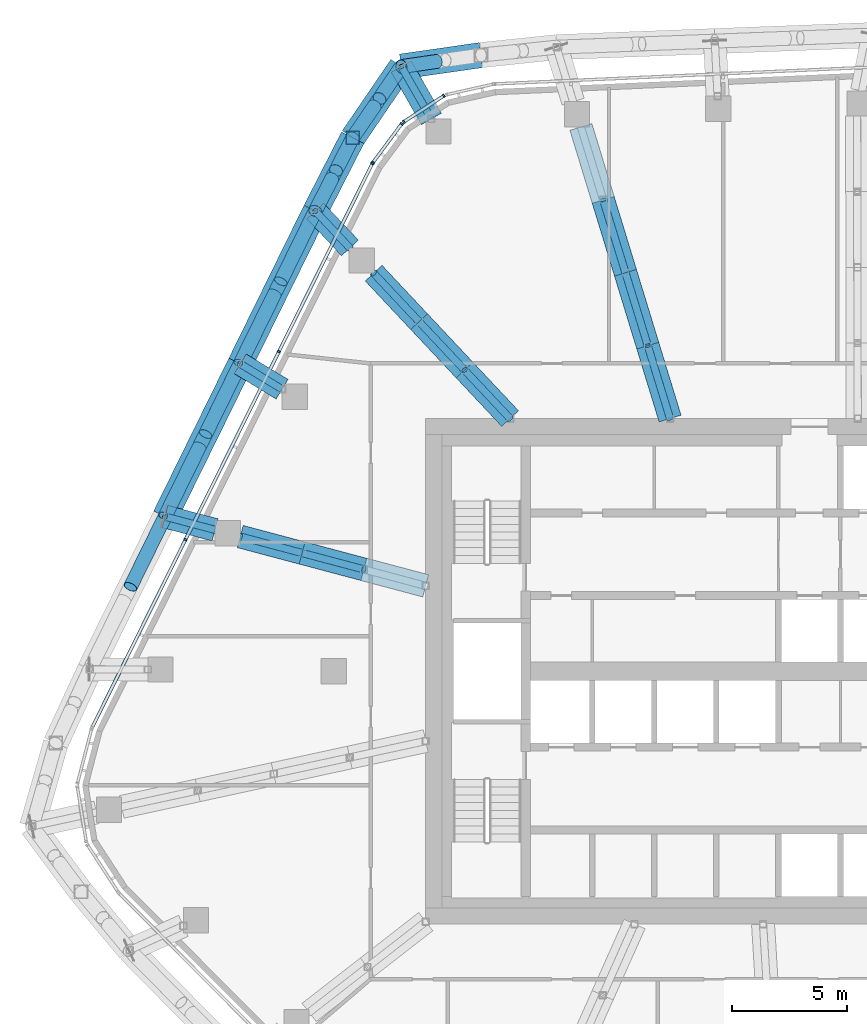
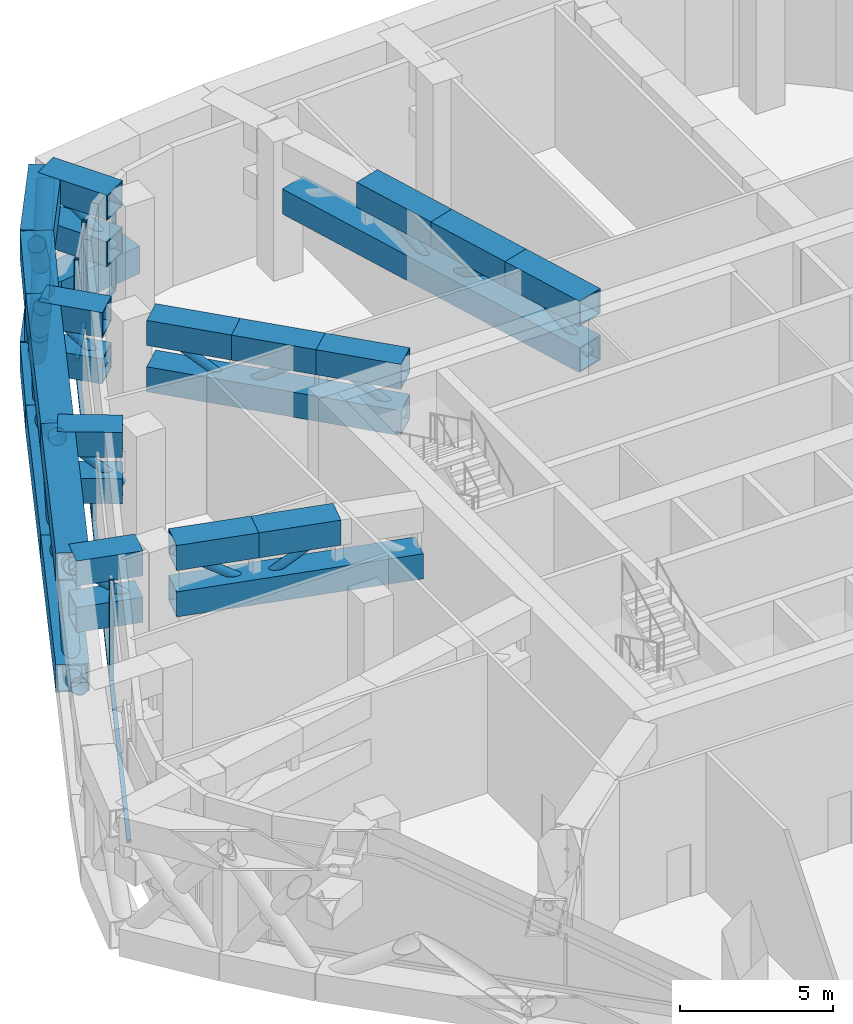
# One storey, part 6 of 31: 65 members, 2 elements without a shape of their own.
"""IFC4 building model written with IfcOpenShell, lengths in metres."""

from ifc_helpers import new_model, si_unit, direction, frame, origin, origin_2d, place, context, subcontext, project, spatial, rectangle, hollow_rectangle, hollow_circle, extrude, material, layer, layer_set, material_profile, profile_set, type_object, element, aggregate, save


model = new_model("IFC4")

# Units and contexts
model_context = context("Model", 3, precision=1e-05, world=origin(), true_north=direction((0.0, 1.0)))
body_context = subcontext(model_context, "Body", "Model", "MODEL_VIEW")
ifc_project = project(units=[si_unit("LENGTHUNIT", "METRE"), si_unit("AREAUNIT", "SQUARE_METRE"), si_unit("VOLUMEUNIT", "CUBIC_METRE"), si_unit("PLANEANGLEUNIT", "RADIAN"), si_unit("MASSUNIT", "GRAM", prefix="KILO")], contexts=[model_context])

# Site, building, storey
site_placement = place(None, origin())
site = spatial("IfcSite", under=ifc_project, at=site_placement, CompositionType="ELEMENT")
building_placement = place(site_placement, origin())
building = spatial("IfcBuilding", under=site, at=building_placement, Name="Dongbaek Canopy Tower", CompositionType="ELEMENT")
storey_placement = place(building_placement, frame((0.0, 0.0, 283.199951171875)))
storey = spatial("IfcBuildingStorey", under=building, at=storey_placement, Name="L60", CompositionType="ELEMENT", Elevation=283.199951171875)

# Members
ifc_material_1 = material(Name="Steel S355", Category="steel")
ifc_material_profile_1 = material_profile(ifc_material_1, hollow_circle(Radius=0.304931640625, WallThickness=0.01611328125, at=origin_2d()), Name="BELT BRACE CHS 610.0x16.0 Steel S355")
ifc_profile_set_1 = profile_set([ifc_material_profile_1], Name="Steel S355")
member_type_1 = type_object("IfcMemberType", Name="BELT BRACE CHS 610.0x16.0 Steel S355", PredefinedType="BRACE", material=ifc_profile_set_1)
member_1_placement = place(storey_placement, frame((-25.346923828125, 6.7353515625, 0.550048828125), z_axis=(-0.378311412718, -0.769331436671, 0.51479084642), x_axis=(0.897372280824, -0.441274279342, 0.0)))
element("IfcMember", 1, at=member_1_placement, inside=storey, type_object=member_type_1, Name="BELT:L60:9:D0:1", PredefinedType="BRACE", context=body_context, shape_type="SweptSolid", body=[
    extrude(hollow_circle(Radius=0.304931640625, WallThickness=0.01611328125, at=origin_2d()), origin(), (0.0, 0.0, 1.0), 3.9765625),
])
member_2_placement = place(storey_placement, frame((-25.346923828125, 6.7353515625, 0.550048828125), z_axis=(0.378435216266, 0.769242027153, 0.514833459239), x_axis=(-0.897294773133, 0.441431863495, 0.0)))
element("IfcMember", 2, at=member_2_placement, inside=storey, type_object=member_type_1, Name="BELT:L60:10:D0:0", PredefinedType="BRACE", context=body_context, shape_type="SweptSolid", body=[
    extrude(hollow_circle(Radius=0.304931640625, WallThickness=0.01611328125, at=origin_2d()), origin(), (0.0, 0.0, 1.0), 8.6435546875),
])
member_3_placement = place(storey_placement, frame((-22.075927734375, 13.38427734375, 0.550048828125), z_axis=(-0.378417634183, -0.769238377584, 0.514851835572), x_axis=(0.897302067021, -0.441417036961, 0.0)))
element("IfcMember", 3, at=member_3_placement, inside=storey, type_object=member_type_1, Name="BELT:L60:10:D0:1", PredefinedType="BRACE", context=body_context, shape_type="SweptSolid", body=[
    extrude(hollow_circle(Radius=0.304931640625, WallThickness=0.01611328125, at=origin_2d()), origin(), (0.0, 0.0, 1.0), 3.97607421875),
])
member_4_placement = place(storey_placement, frame((-25.346923828125, 6.7353515625, 5.0), z_axis=(0.378470241187, 0.769220503178, -0.514839872218), x_axis=(-0.897273697022, 0.441474702143, 0.0)))
element("IfcMember", 4, at=member_4_placement, inside=storey, type_object=member_type_1, Name="BELT:L60:10:D0:2", PredefinedType="BRACE", context=body_context, shape_type="SweptSolid", body=[
    extrude(hollow_circle(Radius=0.304931640625, WallThickness=0.01611328125, at=origin_2d()), origin(), (0.0, 0.0, 1.0), 3.976318359375),
])
member_5_placement = place(storey_placement, frame((-22.075927734375, 13.38427734375, 0.550048828125), z_axis=(0.378355310952, 0.76922547315, 0.514916915756), x_axis=(-0.897327928533, 0.441364462406, 0.0)))
element("IfcMember", 5, at=member_5_placement, inside=storey, type_object=member_type_1, Name="BELT:L60:11:D0:0", PredefinedType="BRACE", context=body_context, shape_type="SweptSolid", body=[
    extrude(hollow_circle(Radius=0.304931640625, WallThickness=0.01611328125, at=origin_2d()), origin(), (0.0, 0.0, 1.0), 8.64208984375),
])
for number, where, z_axis, x_axis, name in (
    (6, (-18.80615234375, 20.031982421875, 0.550048828125), (-0.378348151924, -0.769223981659, 0.514924404137), (0.897330897098, -0.441358427033, 0.0), "BELT:L60:11:D0:1"),
    (7, (-22.075927734375, 13.38427734375, 5.0), (0.378348151924, 0.769223981659, -0.514924404137), (-0.897330897098, 0.441358427033, 0.0), "BELT:L60:11:D0:2"),
):
    element("IfcMember", number, at=place(storey_placement, frame(where, z_axis=z_axis, x_axis=x_axis)), inside=storey, type_object=member_type_1, Name=name, PredefinedType="BRACE", context=body_context, shape_type="SweptSolid", body=[
        extrude(hollow_circle(Radius=0.304931640625, WallThickness=0.01611328125, at=origin_2d()), origin(), (0.0, 0.0, 1.0), 3.9755859375),
    ])
member_6_placement = place(storey_placement, frame((-18.80615234375, 20.031982421875, 0.550048828125), z_axis=(0.285056995492, 0.558359503991, 0.779087397937), x_axis=(-0.890645802628, 0.454697761443, 0.0)))
element("IfcMember", 8, at=member_6_placement, inside=storey, type_object=member_type_1, Name="BELT:L60:12:D0:0", PredefinedType="BRACE", context=body_context, shape_type="SweptSolid", body=[
    extrude(hollow_circle(Radius=0.304931640625, WallThickness=0.01611328125, at=origin_2d()), origin(), (0.0, 0.0, 1.0), 5.711669921875),
])
member_7_placement = place(storey_placement, frame((-17.177978515625, 23.22119140625, 0.550048828125), z_axis=(-0.285055947855, -0.558402526808, 0.779056945703), x_axis=(0.890660666478, -0.454668645486, 0.0)))
element("IfcMember", 9, at=member_7_placement, inside=storey, type_object=member_type_1, Name="BELT:L60:12:D0:1", PredefinedType="BRACE", context=body_context, shape_type="SweptSolid", body=[
    extrude(hollow_circle(Radius=0.304931640625, WallThickness=0.01611328125, at=origin_2d()), origin(), (0.0, 0.0, 1.0), 2.543701171875),
])
member_8_placement = place(storey_placement, frame((-18.80615234375, 20.031982421875, 5.0), z_axis=(0.285071225229, 0.558336470424, -0.779098698716), x_axis=(-0.890629013295, 0.454730646293, 0.0)))
element("IfcMember", 10, at=member_8_placement, inside=storey, type_object=member_type_1, Name="BELT:L60:12:D0:2", PredefinedType="BRACE", context=body_context, shape_type="SweptSolid", body=[
    extrude(hollow_circle(Radius=0.304931640625, WallThickness=0.01611328125, at=origin_2d()), origin(), (0.0, 0.0, 1.0), 2.54345703125),
])
member_9_placement = place(storey_placement, frame((-17.177978515625, 23.22119140625, 0.550048828125), z_axis=(0.363546624401, 0.532508367359, 0.764374705612), x_axis=(-0.8258859343, 0.563837231411, 0.0)))
element("IfcMember", 11, at=member_9_placement, inside=storey, type_object=member_type_1, Name="BELT:L60:12:D1:0", PredefinedType="BRACE", context=body_context, shape_type="SweptSolid", body=[
    extrude(hollow_circle(Radius=0.304931640625, WallThickness=0.01611328125, at=origin_2d()), origin(), (0.0, 0.0, 1.0), 5.82177734375),
])
for number, where, z_axis, x_axis, name in (
    (12, (-15.0615234375, 26.3212890625, 0.550048828125), (-0.363562511982, -0.532486756062, 0.764382204463), (0.825863803385, -0.563869646513, 0.0), "BELT:L60:12:D1:1"),
    (13, (-17.177978515625, 23.22119140625, 5.0), (0.363562511982, 0.532486756062, -0.764382204463), (-0.825863803385, 0.563869646513, 0.0), "BELT:L60:12:D1:2"),
):
    element("IfcMember", number, at=place(storey_placement, frame(where, z_axis=z_axis, x_axis=x_axis)), inside=storey, type_object=member_type_1, Name=name, PredefinedType="BRACE", context=body_context, shape_type="SweptSolid", body=[
        extrude(hollow_circle(Radius=0.304931640625, WallThickness=0.01611328125, at=origin_2d()), origin(), (0.0, 0.0, 1.0), 2.6015625),
    ])
member_10_placement = place(storey_placement, frame((-15.0615234375, 26.3212890625, 5.0), z_axis=(0.612150057738, 0.08786564517, -0.785844727163), x_axis=(-0.142079973821, 0.989855181852, 0.0)))
element("IfcMember", 14, at=member_10_placement, inside=storey, type_object=member_type_1, Name="BELT:L60:13:D0:2", PredefinedType="BRACE", context=body_context, shape_type="SweptSolid", body=[
    extrude(hollow_circle(Radius=0.304931640625, WallThickness=0.01611328125, at=origin_2d()), origin(), (0.0, 0.0, 1.0), 2.517333984375),
])
ifc_material_2 = material(Name="Steel S355", Category="steel")
ifc_material_profile_2 = material_profile(ifc_material_2, hollow_rectangle(XDim=1.10009765625, YDim=1.10009765625, WallThickness=0.054931640625, at=origin_2d()), Name="BELT CHORD BOX 1100x1100x55 Steel S355")
ifc_profile_set_2 = profile_set([ifc_material_profile_2], Name="Steel S355")
member_type_2 = type_object("IfcMemberType", Name="BELT CHORD BOX 1100x1100x55 Steel S355", PredefinedType="CHORD", material=ifc_profile_set_2)
for number, where, z_axis, x_axis, name in (
    (15, (-25.346923828125, 6.7353515625, 0.550048828125), (0.441431863495, 0.897294773133, 0.0), (-0.897294773133, 0.441431863495, 0.0), "BELT:L60:10:CB0"),
    (16, (-25.346923828125, 6.7353515625, 5.0), (0.441431863495, 0.897294773133, 0.0), (-0.897294773133, 0.441431863495, 0.0), "BELT:L60:10:CT0"),
):
    element("IfcMember", number, at=place(storey_placement, frame(where, z_axis=z_axis, x_axis=x_axis)), inside=storey, type_object=member_type_2, Name=name, PredefinedType="CHORD", context=body_context, shape_type="SweptSolid", body=[
        extrude(hollow_rectangle(XDim=1.10009765625, YDim=1.10009765625, WallThickness=0.054931640625, at=origin_2d()), origin(), (0.0, 0.0, 1.0), 7.409912109375),
    ])
for number, where, z_axis, x_axis, name in (
    (17, (-22.075927734375, 13.38427734375, 0.550048828125), (0.441364462406, 0.897327928533, 0.0), (-0.897327928533, 0.441364462406, 0.0), "BELT:L60:11:CB0"),
    (18, (-22.075927734375, 13.38427734375, 5.0), (0.441364462406, 0.897327928533, 0.0), (-0.897327928533, 0.441364462406, 0.0), "BELT:L60:11:CT0"),
):
    element("IfcMember", number, at=place(storey_placement, frame(where, z_axis=z_axis, x_axis=x_axis)), inside=storey, type_object=member_type_2, Name=name, PredefinedType="CHORD", context=body_context, shape_type="SweptSolid", body=[
        extrude(hollow_rectangle(XDim=1.10009765625, YDim=1.10009765625, WallThickness=0.054931640625, at=origin_2d()), origin(), (0.0, 0.0, 1.0), 7.408447265625),
    ])
for number, where, z_axis, x_axis, name in (
    (19, (-18.80615234375, 20.031982421875, 0.550048828125), (0.454697761443, 0.890645802628, 0.0), (-0.890645802628, 0.454697761443, 0.0), "BELT:L60:12:CB0"),
    (20, (-18.80615234375, 20.031982421875, 5.0), (0.454697761443, 0.890645802628, 0.0), (-0.890645802628, 0.454697761443, 0.0), "BELT:L60:12:CT0"),
):
    element("IfcMember", number, at=place(storey_placement, frame(where, z_axis=z_axis, x_axis=x_axis)), inside=storey, type_object=member_type_2, Name=name, PredefinedType="CHORD", context=body_context, shape_type="SweptSolid", body=[
        extrude(hollow_rectangle(XDim=1.10009765625, YDim=1.10009765625, WallThickness=0.054931640625, at=origin_2d()), origin(), (0.0, 0.0, 1.0), 3.580810546875),
    ])
for number, where, z_axis, x_axis, name in (
    (21, (-17.177978515625, 23.22119140625, 0.550048828125), (0.563837231411, 0.8258859343, 0.0), (-0.8258859343, 0.563837231411, 0.0), "BELT:L60:12:CB1"),
    (22, (-17.177978515625, 23.22119140625, 5.0), (0.563837231411, 0.8258859343, 0.0), (-0.8258859343, 0.563837231411, 0.0), "BELT:L60:12:CT1"),
):
    element("IfcMember", number, at=place(storey_placement, frame(where, z_axis=z_axis, x_axis=x_axis)), inside=storey, type_object=member_type_2, Name=name, PredefinedType="CHORD", context=body_context, shape_type="SweptSolid", body=[
        extrude(hollow_rectangle(XDim=1.10009765625, YDim=1.10009765625, WallThickness=0.054931640625, at=origin_2d()), origin(), (0.0, 0.0, 1.0), 3.753662109375),
    ])
member_11_placement = place(storey_placement, frame((-15.0615234375, 26.3212890625, 0.550048828125), z_axis=(0.989844647223, 0.142153348055, 0.0), x_axis=(-0.142153348055, 0.989844647223, 0.0)))
element("IfcMember", 23, at=member_11_placement, inside=storey, type_object=member_type_2, Name="BELT:L60:13:CB0", PredefinedType="CHORD", context=body_context, shape_type="SweptSolid", body=[
    extrude(hollow_rectangle(XDim=1.10009765625, YDim=1.10009765625, WallThickness=0.054931640625, at=origin_2d()), origin(), (0.0, 0.0, 1.0), 3.501953125),
])
ifc_material_3 = material(Name="Steel S355", Category="steel")
ifc_material_profile_3 = material_profile(ifc_material_3, hollow_rectangle(XDim=0.60009765625, YDim=0.60009765625, WallThickness=0.031982421875, at=origin_2d()), Name="BELT POST BOX 600x600x32 Steel S355")
ifc_profile_set_3 = profile_set([ifc_material_profile_3], Name="Steel S355")
member_type_3 = type_object("IfcMemberType", Name="BELT POST BOX 600x600x32 Steel S355", PredefinedType="POST", material=ifc_profile_set_3)
member_12_placement = place(storey_placement, frame((-17.177978515625, 23.22119140625, 1.10009765625), z_axis=(0.0, 0.0, 1.0), x_axis=(1.0, 0.0, 0.0)))
element("IfcMember", 24, at=member_12_placement, inside=storey, type_object=member_type_3, Name="BELT:L60:12:P1", PredefinedType="POST", context=body_context, shape_type="SweptSolid", body=[
    extrude(hollow_rectangle(XDim=0.60009765625, YDim=0.60009765625, WallThickness=0.031982421875, at=origin_2d()), origin(), (0.0, 0.0, 1.0), 3.349853515625),
])
ifc_material_4 = material(Name="Steel S355", Category="steel")
ifc_material_profile_4 = material_profile(ifc_material_4, hollow_circle(Radius=0.1591796875, WallThickness=0.01025390625, at=origin_2d()), Name="BRACE CHS 318.5x10.3 Steel S355")
ifc_profile_set_4 = profile_set([ifc_material_profile_4], Name="Steel S355")
member_type_4 = type_object("IfcMemberType", Name="BRACE CHS 318.5x10.3 Steel S355", PredefinedType="BRACE", material=ifc_profile_set_4)
member_13_placement = place(storey_placement, frame((-20.251953125, 12.278564453125, 3.199951171875), z_axis=(-0.645989898576, 0.391605976529, 0.655241795129), x_axis=(-0.518395572838, -0.855140941636, 0.0)))
element("IfcMember", 25, at=member_13_placement, inside=storey, type_object=member_type_4, Name="TRUSS:L60:11:D0", PredefinedType="BRACE", context=body_context, shape_type="SweptSolid", body=[
    extrude(hollow_circle(Radius=0.1591796875, WallThickness=0.01025390625, at=origin_2d()), origin(), (0.0, 0.0, 1.0), 2.823486328125),
])
member_14_placement = place(storey_placement, frame((-13.756591796875, 24.041015625, 3.199951171875), z_axis=(-0.406102130696, 0.709634031936, 0.57576088801), x_axis=(-0.867928449036, -0.496689246263, 0.0)))
element("IfcMember", 26, at=member_14_placement, inside=storey, type_object=member_type_4, Name="TRUSS:L60:13:D0", PredefinedType="BRACE", context=body_context, shape_type="SweptSolid", body=[
    extrude(hollow_circle(Radius=0.1591796875, WallThickness=0.01025390625, at=origin_2d()), origin(), (0.0, 0.0, 1.0), 3.21337890625),
])
ifc_material_5 = material(Name="Steel S355", Category="steel")
ifc_material_profile_5 = material_profile(ifc_material_5, hollow_rectangle(XDim=1.0, YDim=1.0, WallThickness=0.050048828125, at=origin_2d()), Name="CHORD BOX 1000x1000x50 Steel S355")
ifc_profile_set_5 = profile_set([ifc_material_profile_5], Name="Steel S355")
member_type_5 = type_object("IfcMemberType", Name="CHORD BOX 1000x1000x50 Steel S355", PredefinedType="CHORD", material=ifc_profile_set_5)
for number, where, z_axis, x_axis, name in (
    (27, (-20.251953125, 12.278564453125, 3.199951171875), (-0.855140941636, 0.518395572838, 0.0), (-0.518395572838, -0.855140941636, 0.0), "TRUSS:L60:11:CB"),
    (28, (-20.251953125, 12.278564453125, 5.050048828125), (-0.855140941636, 0.518395572838, 0.0), (-0.518395572838, -0.855140941636, 0.0), "TRUSS:L60:11:CT0"),
):
    element("IfcMember", number, at=place(storey_placement, frame(where, z_axis=z_axis, x_axis=x_axis)), inside=storey, type_object=member_type_5, Name=name, PredefinedType="CHORD", context=body_context, shape_type="SweptSolid", body=[
        extrude(hollow_rectangle(XDim=1.0, YDim=1.0, WallThickness=0.050048828125, at=origin_2d()), origin(), (0.0, 0.0, 1.0), 2.133056640625),
    ])
for number, where, z_axis, x_axis, name in (
    (29, (-13.756591796875, 24.041015625, 3.199951171875), (-0.496689246263, 0.867928449036, 0.0), (-0.867928449036, -0.496689246263, 0.0), "TRUSS:L60:13:CB"),
    (30, (-13.756591796875, 24.041015625, 5.050048828125), (-0.496689246263, 0.867928449036, 0.0), (-0.867928449036, -0.496689246263, 0.0), "TRUSS:L60:13:CT0"),
):
    element("IfcMember", number, at=place(storey_placement, frame(where, z_axis=z_axis, x_axis=x_axis)), inside=storey, type_object=member_type_5, Name=name, PredefinedType="CHORD", context=body_context, shape_type="SweptSolid", body=[
        extrude(hollow_rectangle(XDim=1.0, YDim=1.0, WallThickness=0.050048828125, at=origin_2d()), origin(), (0.0, 0.0, 1.0), 2.627197265625),
    ])

# Curtain wall, members
ifc_material_6 = material(Name="Aluminium 6063-T6 pale anodised", Category="aluminium")
ifc_layer = layer(ifc_material_6, 0.14990234375)
ifc_layer_set = layer_set([ifc_layer], Name="CW-7 louvre curtain wall")
curtain_wall_type = type_object("IfcCurtainWallType", Name="CW-7 louvre curtain wall", PredefinedType="NOTDEFINED", material=ifc_layer_set)
curtain_wall_1_placement = place(storey_placement, origin())
curtain_wall_1 = element("IfcCurtainWall", 31, at=curtain_wall_1_placement, inside=storey, type_object=curtain_wall_type, Name="CW-7 louvre wall L60 K2", PredefinedType="NOTDEFINED")
ifc_material_7 = material(Name="Aluminium 6063-T6 pale anodised", Category="aluminium")
ifc_material_profile_6 = material_profile(ifc_material_7, rectangle(XDim=0.14990234375, YDim=0.080078125, at=origin_2d()), Name="CW-7 mullion 80 x 150")
ifc_profile_set_6 = profile_set([ifc_material_profile_6], Name="Aluminium 6063-T6 pale anodised")
member_type_6 = type_object("IfcMemberType", Name="CW-7 mullion 80 x 150", PredefinedType="MULLION", material=ifc_profile_set_6)
member_15_placement = place(storey_placement, frame((-13.210693359375, 25.04833984375, 0.775146484375), z_axis=(0.0, 0.0, 1.0), x_axis=(-0.545551838618, 0.838077079617, 0.0)))
member_15 = element("IfcMember", 32, at=member_15_placement, type_object=member_type_6, Name="CW-7 mullion L60 K2.2.1", PredefinedType="MULLION", context=body_context, shape_type="SweptSolid", body=[
    extrude(rectangle(XDim=0.14990234375, YDim=0.080078125, at=origin_2d()), origin(), (0.0, 0.0, 1.0), 4.0),
])
member_16_placement = place(storey_placement, frame((-14.95654296875, 23.91162109375, 0.775146484375), z_axis=(0.0, 0.0, 1.0), x_axis=(-0.545551838618, 0.838077079617, 0.0)))
member_16 = element("IfcMember", 33, at=member_16_placement, type_object=member_type_6, Name="CW-7 mullion L60 K2.2.2", PredefinedType="MULLION", context=body_context, shape_type="SweptSolid", body=[
    extrude(rectangle(XDim=0.14990234375, YDim=0.080078125, at=origin_2d()), origin(), (0.0, 0.0, 1.0), 4.0),
])
member_17_placement = place(storey_placement, frame((-15.046630859375, 23.826904296875, 0.775146484375), z_axis=(0.0, 0.0, 1.0), x_axis=(-0.80288879718, 0.596128827825, 0.0)))
member_17 = element("IfcMember", 34, at=member_17_placement, type_object=member_type_6, Name="CW-7 mullion L60 K2.3.1", PredefinedType="MULLION", context=body_context, shape_type="SweptSolid", body=[
    extrude(rectangle(XDim=0.14990234375, YDim=0.080078125, at=origin_2d()), origin(), (0.0, 0.0, 1.0), 4.0),
])
member_18_placement = place(storey_placement, frame((-16.294189453125, 22.14697265625, 0.775146484375), z_axis=(0.0, 0.0, 1.0), x_axis=(-0.80288879718, 0.596128827825, 0.0)))
member_18 = element("IfcMember", 35, at=member_18_placement, type_object=member_type_6, Name="CW-7 mullion L60 K2.3.2", PredefinedType="MULLION", context=body_context, shape_type="SweptSolid", body=[
    extrude(rectangle(XDim=0.14990234375, YDim=0.080078125, at=origin_2d()), origin(), (0.0, 0.0, 1.0), 4.0),
])

curtain_wall_2_placement = place(storey_placement, origin())
curtain_wall_2 = element("IfcCurtainWall", 36, at=curtain_wall_2_placement, inside=storey, type_object=curtain_wall_type, Name="CW-7 louvre wall L60 F2", PredefinedType="NOTDEFINED")
member_19_placement = place(storey_placement, frame((-16.326416015625, 22.093994140625, 0.775146484375), z_axis=(0.0, 0.0, 1.0), x_axis=(-0.895549435021, 0.444962031451, 0.0)))
member_19 = element("IfcMember", 37, at=member_19_placement, type_object=member_type_6, Name="CW-7 mullion L60 F2.1.1", PredefinedType="MULLION", context=body_context, shape_type="SweptSolid", body=[
    extrude(rectangle(XDim=0.14990234375, YDim=0.080078125, at=origin_2d()), origin(), (0.0, 0.0, 1.0), 4.0),
])
member_20_placement = place(storey_placement, frame((-20.39111328125, 13.91357421875, 0.775146484375), z_axis=(0.0, 0.0, 1.0), x_axis=(-0.895549435021, 0.444962031451, 0.0)))
member_20 = element("IfcMember", 38, at=member_20_placement, type_object=member_type_6, Name="CW-7 mullion L60 F2.1.2", PredefinedType="MULLION", context=body_context, shape_type="SweptSolid", body=[
    extrude(rectangle(XDim=0.14990234375, YDim=0.080078125, at=origin_2d()), origin(), (0.0, 0.0, 1.0), 4.0),
])
member_21_placement = place(storey_placement, frame((-24.45556640625, 5.733154296875, 0.775146484375), z_axis=(0.0, 0.0, 1.0), x_axis=(-0.895549435021, 0.444962031451, 0.0)))
member_21 = element("IfcMember", 39, at=member_21_placement, type_object=member_type_6, Name="CW-7 mullion L60 F2.1.3", PredefinedType="MULLION", context=body_context, shape_type="SweptSolid", body=[
    extrude(rectangle(XDim=0.14990234375, YDim=0.080078125, at=origin_2d()), origin(), (0.0, 0.0, 1.0), 4.0),
])

# Member
ifc_material_8 = material(Name="Aluminium 6063-T6 pale anodised", Category="aluminium")
ifc_material_profile_7 = material_profile(ifc_material_8, rectangle(XDim=0.14990234375, YDim=0.1201171875, at=origin_2d()), Name="CW-7 transom 120 x 150")
ifc_profile_set_7 = profile_set([ifc_material_profile_7], Name="Aluminium 6063-T6 pale anodised")
member_type_7 = type_object("IfcMemberType", Name="CW-7 transom 120 x 150", PredefinedType="USERDEFINED", material=ifc_profile_set_7)
member_22_placement = place(storey_placement, frame((-13.210693359375, 25.04833984375, 0.715087890625), z_axis=(-0.838023008326, -0.545634893968, 0.0), x_axis=(0.545634893968, -0.838023008326, 0.0)))
member_22 = element("IfcMember", 40, at=member_22_placement, type_object=member_type_7, Name="CW-7 transom L60 K2.2", ObjectType="TRANSOM", PredefinedType="USERDEFINED", context=body_context, shape_type="SweptSolid", body=[
    extrude(rectangle(XDim=0.14990234375, YDim=0.1201171875, at=origin_2d()), origin(), (0.0, 0.0, 1.0), 2.083251953125),
])

member_23_placement = place(storey_placement, frame((-15.046630859375, 23.826904296875, 0.715087890625), z_axis=(-0.596203699602, -0.802833200971, 0.0), x_axis=(0.802833200971, -0.596203699602, 0.0)))
member_23 = element("IfcMember", 41, at=member_23_placement, type_object=member_type_7, Name="CW-7 transom L60 K2.3", ObjectType="TRANSOM", PredefinedType="USERDEFINED", context=body_context, shape_type="SweptSolid", body=[
    extrude(rectangle(XDim=0.14990234375, YDim=0.1201171875, at=origin_2d()), origin(), (0.0, 0.0, 1.0), 2.092529296875),
])

aggregate(curtain_wall_1, [member_22, member_15, member_16, member_23, member_17, member_18])

member_24_placement = place(storey_placement, frame((-16.326416015625, 22.093994140625, 0.715087890625), z_axis=(-0.444963532756, -0.895548689082, 0.0), x_axis=(0.895548689082, -0.444963532756, 0.0)))
member_24 = element("IfcMember", 42, at=member_24_placement, type_object=member_type_7, Name="CW-7 transom L60 F2.1", ObjectType="TRANSOM", PredefinedType="USERDEFINED", context=body_context, shape_type="SweptSolid", body=[
    extrude(rectangle(XDim=0.14990234375, YDim=0.1201171875, at=origin_2d()), origin(), (0.0, 0.0, 1.0), 27.403564453125),
])

aggregate(curtain_wall_2, [member_24, member_19, member_20, member_21])

# Members
ifc_material_9 = material(Name="Steel S355", Category="steel")
ifc_material_profile_8 = material_profile(ifc_material_9, hollow_circle(Radius=0.1591796875, WallThickness=0.01025390625, at=origin_2d()), Name="OUTRIGGER BRACE CHS 318.5x10.3 Steel S355")
ifc_profile_set_8 = profile_set([ifc_material_profile_8], Name="Steel S355")
member_type_8 = type_object("IfcMemberType", Name="OUTRIGGER BRACE CHS 318.5x10.3 Steel S355", PredefinedType="BRACE", material=ifc_profile_set_8)
for number, where, z_axis, x_axis, name in (
    (43, (-16.690185546875, 4.43505859375, 5.050048828125), (-0.804916520843, 0.213865297008, -0.553507930576), (-0.256789172157, -0.966467444389, 0.0), "TRUSS:L60:10:D1"),
    (44, (-19.380615234375, 5.14990234375, 3.199951171875), (-0.804903945368, 0.213934996006, 0.55349928294), (-0.256871087531, -0.966445675861, 0.0), "TRUSS:L60:10:D2"),
):
    element("IfcMember", number, at=place(storey_placement, frame(where, z_axis=z_axis, x_axis=x_axis)), inside=storey, type_object=member_type_8, Name=name, PredefinedType="BRACE", context=body_context, shape_type="SweptSolid", body=[
        extrude(hollow_circle(Radius=0.1591796875, WallThickness=0.01025390625, at=origin_2d()), origin(), (0.0, 0.0, 1.0), 3.342529296875),
    ])
member_25_placement = place(storey_placement, frame((-23.1708984375, 6.156982421875, 3.199951171875), z_axis=(-0.746701866246, 0.198467039284, 0.634859950905), x_axis=(-0.256872953149, -0.966445179998, 0.0)))
element("IfcMember", 45, at=member_25_placement, inside=storey, type_object=member_type_8, Name="TRUSS:L60:10s:D0", PredefinedType="BRACE", context=body_context, shape_type="SweptSolid", body=[
    extrude(hollow_circle(Radius=0.1591796875, WallThickness=0.01025390625, at=origin_2d()), origin(), (0.0, 0.0, 1.0), 2.9140625),
])
for number, where, z_axis, x_axis, name in (
    (46, (-10.326904296875, 11.0, 3.199951171875), (-0.576621728559, 0.614229038929, 0.538730052894), (-0.729073892219, -0.684434993031, 0.0), "TRUSS:L60:12:D0"),
    (47, (-12.30712890625, 13.109375, 5.050048828125), (-0.576621728559, 0.614229038929, -0.538730052894), (-0.729073892219, -0.684434993031, 0.0), "TRUSS:L60:12:D1"),
    (48, (-14.287353515625, 15.21875, 3.199951171875), (-0.57664690772, 0.614184765848, 0.538753577451), (-0.729034358989, -0.684477102183, 0.0), "TRUSS:L60:12:D2"),
):
    element("IfcMember", number, at=place(storey_placement, frame(where, z_axis=z_axis, x_axis=x_axis)), inside=storey, type_object=member_type_8, Name=name, PredefinedType="BRACE", context=body_context, shape_type="SweptSolid", body=[
        extrude(hollow_circle(Radius=0.1591796875, WallThickness=0.01025390625, at=origin_2d()), origin(), (0.0, 0.0, 1.0), 3.43408203125),
    ])
member_26_placement = place(storey_placement, frame((-17.30029296875, 18.427978515625, 3.199951171875), z_axis=(-0.52385078117, 0.557992806791, 0.64360266208), x_axis=(-0.729059471896, -0.684450353524, 0.0)))
element("IfcMember", 49, at=member_26_placement, inside=storey, type_object=member_type_8, Name="TRUSS:L60:12s:D0", PredefinedType="BRACE", context=body_context, shape_type="SweptSolid", body=[
    extrude(hollow_circle(Radius=0.1591796875, WallThickness=0.01025390625, at=origin_2d()), origin(), (0.0, 0.0, 1.0), 2.87451171875),
])
member_27_placement = place(storey_placement, frame((-3.364501953125, 11.0, 3.199951171875), z_axis=(-0.255504267782, 0.835208493048, 0.486974683413), x_axis=(-0.956254993805, -0.292534419894, 0.0)))
element("IfcMember", 50, at=member_27_placement, inside=storey, type_object=member_type_8, Name="TRUSS:L60:14:D0", PredefinedType="BRACE", context=body_context, shape_type="SweptSolid", body=[
    extrude(hollow_circle(Radius=0.1591796875, WallThickness=0.01025390625, at=origin_2d()), origin(), (0.0, 0.0, 1.0), 3.799072265625),
])
for number, where, z_axis, x_axis, name in (
    (51, (-4.335205078125, 14.173095703125, 5.050048828125), (-0.255430489781, 0.835241636774, -0.486956541274), (-0.956281866446, -0.292446562481, 0.0), "TRUSS:L60:14:D1"),
    (52, (-5.3056640625, 17.346435546875, 3.199951171875), (-0.255430489781, 0.835241636774, 0.486956541274), (-0.956281866446, -0.292446562481, 0.0), "TRUSS:L60:14:D2"),
):
    element("IfcMember", number, at=place(storey_placement, frame(where, z_axis=z_axis, x_axis=x_axis)), inside=storey, type_object=member_type_8, Name=name, PredefinedType="BRACE", context=body_context, shape_type="SweptSolid", body=[
        extrude(hollow_circle(Radius=0.1591796875, WallThickness=0.01025390625, at=origin_2d()), origin(), (0.0, 0.0, 1.0), 3.79931640625),
    ])
ifc_material_10 = material(Name="Steel S355", Category="steel")
ifc_material_profile_9 = material_profile(ifc_material_10, hollow_rectangle(XDim=1.0, YDim=1.0, WallThickness=0.050048828125, at=origin_2d()), Name="OUTRIGGER CHORD BOX 1000x1000x50 Steel S355")
ifc_profile_set_9 = profile_set([ifc_material_profile_9], Name="Steel S355")
member_type_9 = type_object("IfcMemberType", Name="OUTRIGGER CHORD BOX 1000x1000x50 Steel S355", PredefinedType="CHORD", material=ifc_profile_set_9)
member_28_placement = place(storey_placement, frame((-14.0, 3.72021484375, 3.199951171875), z_axis=(-0.966458260705, 0.256823733939, 0.0), x_axis=(-0.256823733939, -0.966458260705, 0.0)))
element("IfcMember", 53, at=member_28_placement, inside=storey, type_object=member_type_9, Name="TRUSS:L60:10:CB", PredefinedType="CHORD", context=body_context, shape_type="SweptSolid", body=[
    extrude(hollow_rectangle(XDim=1.0, YDim=1.0, WallThickness=0.050048828125, at=origin_2d()), origin(), (0.0, 0.0, 1.0), 8.35107421875),
])
member_29_placement = place(storey_placement, frame((-16.690185546875, 4.43505859375, 5.050048828125), z_axis=(-0.966467444389, 0.256789172157, 0.0), x_axis=(-0.256789172157, -0.966467444389, 0.0)))
element("IfcMember", 54, at=member_29_placement, inside=storey, type_object=member_type_9, Name="TRUSS:L60:10:CT1", PredefinedType="CHORD", context=body_context, shape_type="SweptSolid", body=[
    extrude(hollow_rectangle(XDim=1.0, YDim=1.0, WallThickness=0.050048828125, at=origin_2d()), origin(), (0.0, 0.0, 1.0), 2.78369140625),
])
member_30_placement = place(storey_placement, frame((-19.380615234375, 5.14990234375, 5.050048828125), z_axis=(-0.966445675861, 0.256871087531, 0.0), x_axis=(-0.256871087531, -0.966445675861, 0.0)))
element("IfcMember", 55, at=member_30_placement, inside=storey, type_object=member_type_9, Name="TRUSS:L60:10:CT2", PredefinedType="CHORD", context=body_context, shape_type="SweptSolid", body=[
    extrude(hollow_rectangle(XDim=1.0, YDim=1.0, WallThickness=0.050048828125, at=origin_2d()), origin(), (0.0, 0.0, 1.0), 2.783935546875),
])
for number, where, z_axis, x_axis, name in (
    (56, (-23.1708984375, 6.156982421875, 3.199951171875), (-0.966445179998, 0.256872953149, 0.0), (-0.256872953149, -0.966445179998, 0.0), "TRUSS:L60:10s:CB"),
    (57, (-23.1708984375, 6.156982421875, 5.050048828125), (-0.966445179998, 0.256872953149, 0.0), (-0.256872953149, -0.966445179998, 0.0), "TRUSS:L60:10s:CT0"),
):
    element("IfcMember", number, at=place(storey_placement, frame(where, z_axis=z_axis, x_axis=x_axis)), inside=storey, type_object=member_type_9, Name=name, PredefinedType="CHORD", context=body_context, shape_type="SweptSolid", body=[
        extrude(hollow_rectangle(XDim=1.0, YDim=1.0, WallThickness=0.050048828125, at=origin_2d()), origin(), (0.0, 0.0, 1.0), 2.25146484375),
    ])
member_31_placement = place(storey_placement, frame((-10.326904296875, 11.0, 3.199951171875), z_axis=(-0.684449029093, 0.729060715286, 0.0), x_axis=(-0.729060715286, -0.684449029093, 0.0)))
element("IfcMember", 58, at=member_31_placement, inside=storey, type_object=member_type_9, Name="TRUSS:L60:12:CB", PredefinedType="CHORD", context=body_context, shape_type="SweptSolid", body=[
    extrude(hollow_rectangle(XDim=1.0, YDim=1.0, WallThickness=0.050048828125, at=origin_2d()), origin(), (0.0, 0.0, 1.0), 8.679443359375),
])
for number, where, z_axis, x_axis, name in (
    (59, (-10.326904296875, 11.0, 5.050048828125), (-0.684434993031, 0.729073892219, 0.0), (-0.729073892219, -0.684434993031, 0.0), "TRUSS:L60:12:CT0"),
    (60, (-12.30712890625, 13.109375, 5.050048828125), (-0.684434993031, 0.729073892219, 0.0), (-0.729073892219, -0.684434993031, 0.0), "TRUSS:L60:12:CT1"),
):
    element("IfcMember", number, at=place(storey_placement, frame(where, z_axis=z_axis, x_axis=x_axis)), inside=storey, type_object=member_type_9, Name=name, PredefinedType="CHORD", context=body_context, shape_type="SweptSolid", body=[
        extrude(hollow_rectangle(XDim=1.0, YDim=1.0, WallThickness=0.050048828125, at=origin_2d()), origin(), (0.0, 0.0, 1.0), 2.893310546875),
    ])
member_32_placement = place(storey_placement, frame((-14.287353515625, 15.21875, 5.050048828125), z_axis=(-0.684477102183, 0.729034358989, 0.0), x_axis=(-0.729034358989, -0.684477102183, 0.0)))
element("IfcMember", 61, at=member_32_placement, inside=storey, type_object=member_type_9, Name="TRUSS:L60:12:CT2", PredefinedType="CHORD", context=body_context, shape_type="SweptSolid", body=[
    extrude(hollow_rectangle(XDim=1.0, YDim=1.0, WallThickness=0.050048828125, at=origin_2d()), origin(), (0.0, 0.0, 1.0), 2.89306640625),
])
for number, where, z_axis, x_axis, name in (
    (62, (-17.30029296875, 18.427978515625, 3.199951171875), (-0.684450353524, 0.729059471896, 0.0), (-0.729059471896, -0.684450353524, 0.0), "TRUSS:L60:12s:CB"),
    (63, (-17.30029296875, 18.427978515625, 5.050048828125), (-0.684450353524, 0.729059471896, 0.0), (-0.729059471896, -0.684450353524, 0.0), "TRUSS:L60:12s:CT0"),
):
    element("IfcMember", number, at=place(storey_placement, frame(where, z_axis=z_axis, x_axis=x_axis)), inside=storey, type_object=member_type_9, Name=name, PredefinedType="CHORD", context=body_context, shape_type="SweptSolid", body=[
        extrude(hollow_rectangle(XDim=1.0, YDim=1.0, WallThickness=0.050048828125, at=origin_2d()), origin(), (0.0, 0.0, 1.0), 2.2001953125),
    ])
member_33_placement = place(storey_placement, frame((-3.364501953125, 11.0, 3.199951171875), z_axis=(-0.29248534591, 0.956270004982, 0.0), x_axis=(-0.956270004982, -0.29248534591, 0.0)))
element("IfcMember", 64, at=member_33_placement, inside=storey, type_object=member_type_9, Name="TRUSS:L60:14:CB", PredefinedType="CHORD", context=body_context, shape_type="SweptSolid", body=[
    extrude(hollow_rectangle(XDim=1.0, YDim=1.0, WallThickness=0.050048828125, at=origin_2d()), origin(), (0.0, 0.0, 1.0), 13.273681640625),
])
for number, where, z_axis, x_axis, name in (
    (65, (-3.364501953125, 11.0, 5.050048828125), (-0.292534419894, 0.956254993805, 0.0), (-0.956254993805, -0.292534419894, 0.0), "TRUSS:L60:14:CT0"),
    (66, (-4.335205078125, 14.173095703125, 5.050048828125), (-0.292446562481, 0.956281866446, 0.0), (-0.956281866446, -0.292446562481, 0.0), "TRUSS:L60:14:CT1"),
    (67, (-5.3056640625, 17.346435546875, 5.050048828125), (-0.292446562481, 0.956281866446, 0.0), (-0.956281866446, -0.292446562481, 0.0), "TRUSS:L60:14:CT2"),
):
    element("IfcMember", number, at=place(storey_placement, frame(where, z_axis=z_axis, x_axis=x_axis)), inside=storey, type_object=member_type_9, Name=name, PredefinedType="CHORD", context=body_context, shape_type="SweptSolid", body=[
        extrude(hollow_rectangle(XDim=1.0, YDim=1.0, WallThickness=0.050048828125, at=origin_2d()), origin(), (0.0, 0.0, 1.0), 3.318359375),
    ])

save(model, "model.ifc")
